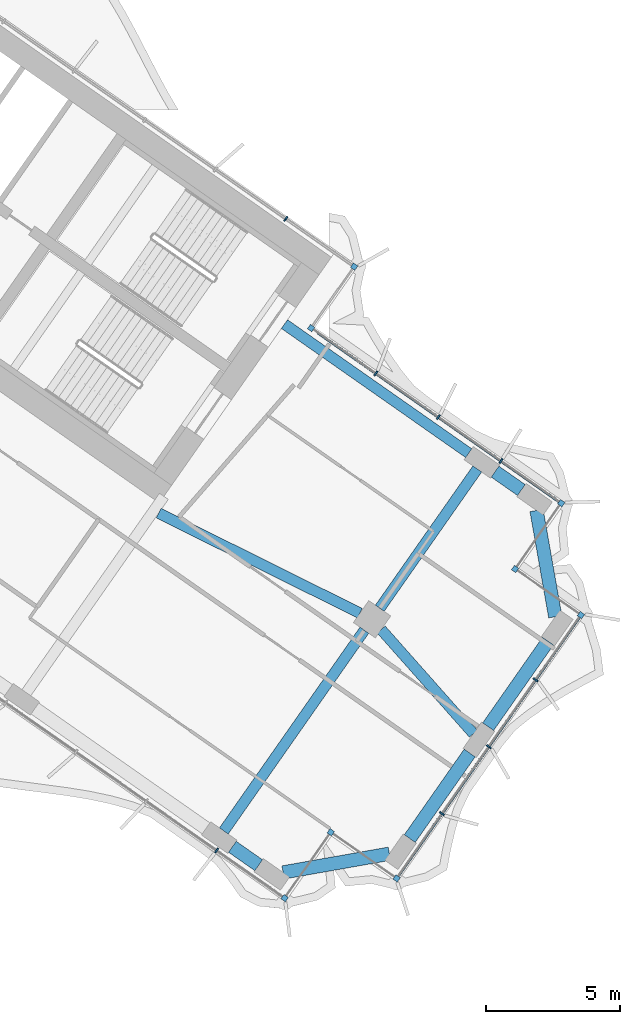
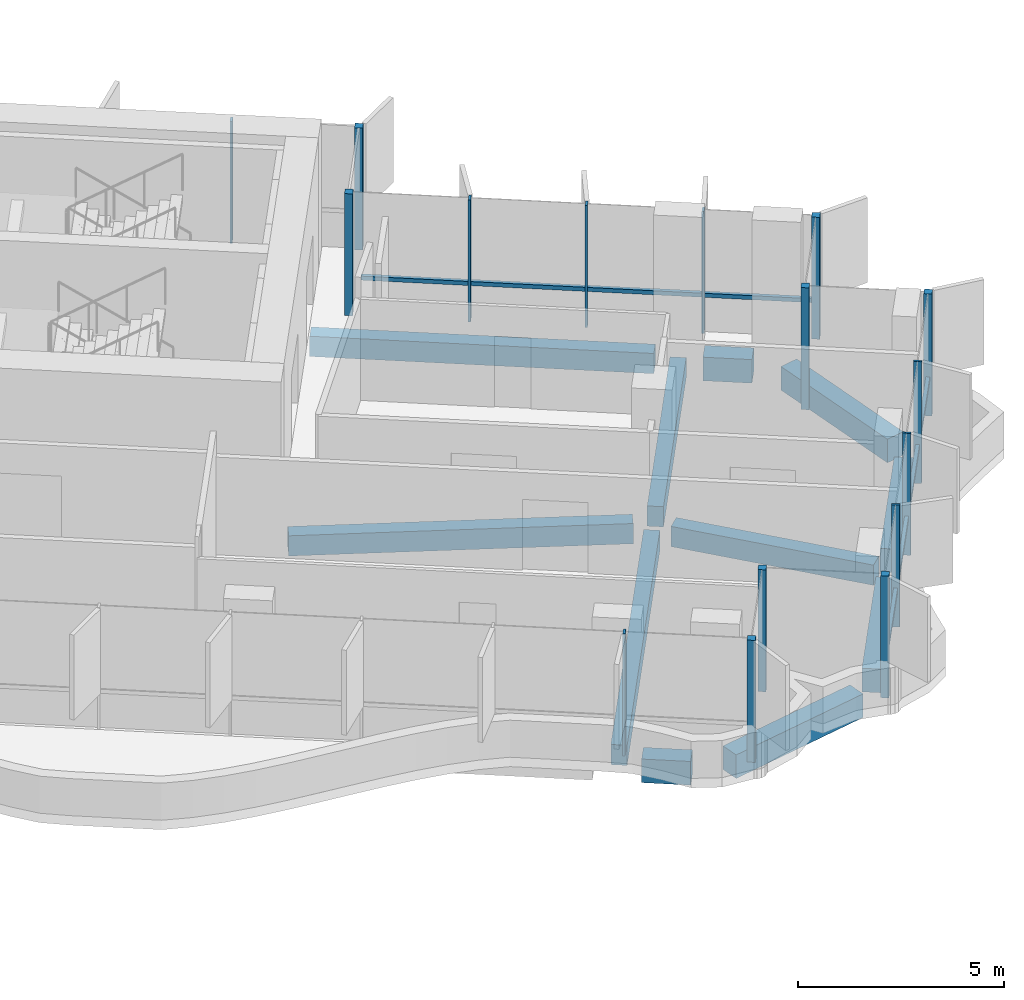
# One storey, part 9 of 21: 18 members, 11 beams, 2 elements without a shape of their own.
"""IFC4 building model written with IfcOpenShell, lengths in metres."""

from ifc_helpers import new_model, si_unit, direction, frame, origin, origin_2d, place, context, subcontext, project, spatial, rectangle, extrude, material, material_profile, profile_set, type_object, element, aggregate, save


model = new_model("IFC4")

# Units and contexts
model_context = context("Model", 3, precision=1e-05, world=origin(), true_north=direction((0.0, 1.0)))
body_context = subcontext(model_context, "Body", "Model", "MODEL_VIEW")
ifc_project = project(units=[si_unit("LENGTHUNIT", "METRE"), si_unit("AREAUNIT", "SQUARE_METRE"), si_unit("VOLUMEUNIT", "CUBIC_METRE"), si_unit("PLANEANGLEUNIT", "RADIAN"), si_unit("MASSUNIT", "GRAM", prefix="KILO")], contexts=[model_context])

# Site, building, storey
site_placement = place(None, origin())
site = spatial("IfcSite", under=ifc_project, at=site_placement, CompositionType="ELEMENT")
building_placement = place(site_placement, origin())
building = spatial("IfcBuilding", under=site, at=building_placement, Name="Tel Ilan Convention Tower", CompositionType="ELEMENT")
storey_placement = place(building_placement, frame((0.0, 0.0, 159.300048828125)))
storey = spatial("IfcBuildingStorey", under=building, at=storey_placement, Name="L36", CompositionType="ELEMENT", Elevation=159.300048828125)

# Beams
ifc_material_1 = material(Name="Concrete C40/50", Category="concrete")
ifc_material_profile_1 = material_profile(ifc_material_1, rectangle(XDim=0.39990234375, YDim=0.60009765625, at=origin_2d()), Name="RC 400x600")
ifc_profile_set_1 = profile_set([ifc_material_profile_1], Name="Concrete C40/50")
beam_type_1 = type_object("IfcBeamType", Name="Beam RC 400x600 Concrete C40/50", PredefinedType="BEAM", material=ifc_profile_set_1)
beam_1_placement = place(storey_placement, frame((33.09912109375, -14.44775390625, -0.580078125), z_axis=(-0.819147254605, 0.573583276668, 0.0), x_axis=(-0.573583276668, -0.819147254605, 0.0)))
element("IfcBeam", 1, at=beam_1_placement, inside=storey, type_object=beam_type_1, Name="L36 beam E-E-B4-core", PredefinedType="BEAM", context=body_context, shape_type="SweptSolid", body=[
    extrude(rectangle(XDim=0.39990234375, YDim=0.60009765625, at=origin_2d()), origin(), (0.0, 0.0, 1.0), 8.400146484375),
])
beam_2_placement = place(storey_placement, frame((21.52099609375, -16.686279296875, -0.580078125), z_axis=(0.895402365524, -0.445257907076, 0.0), x_axis=(0.445257907076, 0.895402365524, 0.0)))
element("IfcBeam", 2, at=beam_2_placement, inside=storey, type_object=beam_type_1, Name="L36 beam E-core-E-M4", PredefinedType="BEAM", context=body_context, shape_type="SweptSolid", body=[
    extrude(rectangle(XDim=0.39990234375, YDim=0.60009765625, at=origin_2d()), origin(), (0.0, 0.0, 1.0), 8.3935546875),
])
beam_3_placement = place(storey_placement, frame((29.830322265625, -21.03369140625, -0.580078125), z_axis=(0.663175252401, -0.748464150512, 0.0), x_axis=(0.748464150512, 0.663175252401, 0.0)))
element("IfcBeam", 3, at=beam_3_placement, inside=storey, type_object=beam_type_1, Name="L36 beam E-E-M4-end", PredefinedType="BEAM", context=body_context, shape_type="SweptSolid", body=[
    extrude(rectangle(XDim=0.39990234375, YDim=0.60009765625, at=origin_2d()), origin(), (0.0, 0.0, 1.0), 5.192626953125),
])
beam_4_placement = place(storey_placement, frame((29.20263671875, -21.058349609375, -0.580078125), z_axis=(-0.573557249804, -0.819165478519, 0.0), x_axis=(0.819165478519, -0.573557249804, 0.0)))
element("IfcBeam", 4, at=beam_4_placement, inside=storey, type_object=beam_type_1, Name="L36 beam E-E-M4-E-F4", PredefinedType="BEAM", context=body_context, shape_type="SweptSolid", body=[
    extrude(rectangle(XDim=0.39990234375, YDim=0.60009765625, at=origin_2d()), origin(), (0.0, 0.0, 1.0), 9.14990234375),
])
beam_5_placement = place(storey_placement, frame((29.7763671875, -20.2392578125, -0.580078125), z_axis=(0.573560394383, 0.819163276762, 0.0), x_axis=(-0.819163276762, 0.573560394383, 0.0)))
element("IfcBeam", 5, at=beam_5_placement, inside=storey, type_object=beam_type_1, Name="L36 beam E-E-M4-E-B4", PredefinedType="BEAM", context=body_context, shape_type="SweptSolid", body=[
    extrude(rectangle(XDim=0.39990234375, YDim=0.60009765625, at=origin_2d()), origin(), (0.0, 0.0, 1.0), 6.349853515625),
])
ifc_material_2 = material(Name="Concrete C40/50", Category="concrete")
ifc_material_profile_2 = material_profile(ifc_material_2, rectangle(XDim=0.5, YDim=0.699951171875, at=origin_2d()), Name="RC 500x700")
ifc_profile_set_2 = profile_set([ifc_material_profile_2], Name="Concrete C40/50")
beam_type_2 = type_object("IfcBeamType", Name="Beam RC 500x700 Concrete C40/50", PredefinedType="BEAM", material=ifc_profile_set_2)
beam_6_placement = place(storey_placement, frame((24.27392578125, -29.1435546875, -0.630126953125), z_axis=(0.819155442668, -0.573571582932, 0.0), x_axis=(0.573571582932, 0.819155442668, 0.0)))
element("IfcBeam", 6, at=beam_6_placement, inside=storey, type_object=beam_type_2, Name="L36 beam E-E-F4-E-FC", PredefinedType="BEAM", context=body_context, shape_type="SweptSolid", body=[
    extrude(rectangle(XDim=0.5, YDim=0.699951171875, at=origin_2d()), origin(), (0.0, 0.0, 1.0), 1.199951171875),
])
beam_7_placement = place(storey_placement, frame((26.166259765625, -30.102294921875, -0.630126953125), z_axis=(0.984804894423, 0.173664388751, 0.0), x_axis=(-0.173664388751, 0.984804894423, 0.0)))
element("IfcBeam", 7, at=beam_7_placement, inside=storey, type_object=beam_type_2, Name="L36 beam E-E-FC-E-E1", PredefinedType="BEAM", context=body_context, shape_type="SweptSolid", body=[
    extrude(rectangle(XDim=0.5, YDim=0.699951171875, at=origin_2d()), origin(), (0.0, 0.0, 1.0), 4.030517578125),
])
for number, where, z_axis, x_axis, name in (
    (8, (30.8974609375, -28.837158203125, -0.630126953125), (0.573609383536, 0.819128973434, 0.0), (-0.819128973434, 0.573609383536, 0.0), "L36 beam E-E-E1-E-E2"),
    (9, (33.82275390625, -24.659423828125, -0.630126953125), (0.573567378001, 0.81915838694, 0.0), (-0.81915838694, 0.573567378001, 0.0), "L36 beam E-E-E2-E-E3"),
):
    element("IfcBeam", number, at=place(storey_placement, frame(where, z_axis=z_axis, x_axis=x_axis)), inside=storey, type_object=beam_type_2, Name=name, PredefinedType="BEAM", context=body_context, shape_type="SweptSolid", body=[
        extrude(rectangle(XDim=0.5, YDim=0.699951171875, at=origin_2d()), origin(), (0.0, 0.0, 1.0), 3.89990234375),
    ])
beam_8_placement = place(storey_placement, frame((36.330078125, -20.555419921875, -0.630126953125), z_axis=(-0.173664388751, 0.984804894423, 0.0), x_axis=(-0.984804894423, -0.173664388751, 0.0)))
element("IfcBeam", 10, at=beam_8_placement, inside=storey, type_object=beam_type_2, Name="L36 beam E-E-E3-E-BC", PredefinedType="BEAM", context=body_context, shape_type="SweptSolid", body=[
    extrude(rectangle(XDim=0.5, YDim=0.699951171875, at=origin_2d()), origin(), (0.0, 0.0, 1.0), 4.030517578125),
])
beam_9_placement = place(storey_placement, frame((35.06494140625, -15.82421875, -0.630126953125), z_axis=(-0.819155442668, 0.573571582932, 0.0), x_axis=(-0.573571582932, -0.819155442668, 0.0)))
element("IfcBeam", 11, at=beam_9_placement, inside=storey, type_object=beam_type_2, Name="L36 beam E-E-BC-E-B4", PredefinedType="BEAM", context=body_context, shape_type="SweptSolid", body=[
    extrude(rectangle(XDim=0.5, YDim=0.699951171875, at=origin_2d()), origin(), (0.0, 0.0, 1.0), 1.199951171875),
])

# Curtain wall, members
ifc_material_3 = material(Name="Aluminium, bronze anodised", Category="aluminium")
curtain_wall_type_1 = type_object("IfcCurtainWallType", Name="CW2 STICK CURTAIN WALL, SPANDREL PANELS", PredefinedType="NOTDEFINED", material=ifc_material_3)
curtain_wall_1_placement = place(storey_placement, origin())
curtain_wall_1 = element("IfcCurtainWall", 12, at=curtain_wall_1_placement, inside=storey, type_object=curtain_wall_type_1, Name="Curtain wall CW2-28.01", PredefinedType="NOTDEFINED")
ifc_material_4 = material(Name="Aluminium, bronze anodised", Category="aluminium")
ifc_material_profile_3 = material_profile(ifc_material_4, rectangle(XDim=0.199951171875, YDim=0.199951171875, at=origin_2d()), Name="CW CORNER MULLION 200x200")
ifc_profile_set_3 = profile_set([ifc_material_profile_3], Name="Aluminium, bronze anodised")
member_type_1 = type_object("IfcMemberType", Name="CW CORNER MULLION 200x200", PredefinedType="MULLION", material=ifc_profile_set_3)
member_1_placement = place(storey_placement, frame((27.213623046875, -9.77734375, 0.0), z_axis=(0.0, 0.0, 1.0), x_axis=(-0.819152044289, 0.573576436351, 0.0)))
member_1 = element("IfcMember", 13, at=member_1_placement, type_object=member_type_1, Name="Corner mullion", PredefinedType="MULLION", context=body_context, shape_type="SweptSolid", body=[
    extrude(rectangle(XDim=0.199951171875, YDim=0.199951171875, at=origin_2d()), origin(), (0.0, 0.0, 1.0), 3.619873046875),
])
member_2_placement = place(storey_placement, frame((28.819580078125, -7.483642578125, 0.0), z_axis=(0.0, 0.0, 1.0), x_axis=(0.573576436351, 0.819152044289, 0.0)))
member_2 = element("IfcMember", 14, at=member_2_placement, type_object=member_type_1, Name="Corner mullion", PredefinedType="MULLION", context=body_context, shape_type="SweptSolid", body=[
    extrude(rectangle(XDim=0.199951171875, YDim=0.199951171875, at=origin_2d()), origin(), (0.0, 0.0, 1.0), 3.619873046875),
])

ifc_material_5 = material(Name="Aluminium, bronze anodised", Category="aluminium")
curtain_wall_type_2 = type_object("IfcCurtainWallType", Name="CW4 STICK CURTAIN WALL, OFFICE TINTED GLASS", PredefinedType="NOTDEFINED", material=ifc_material_5)
curtain_wall_2_placement = place(storey_placement, origin())
curtain_wall_2 = element("IfcCurtainWall", 15, at=curtain_wall_2_placement, inside=storey, type_object=curtain_wall_type_2, Name="Curtain wall CW4-28.02", PredefinedType="NOTDEFINED")
member_3_placement = place(storey_placement, frame((26.2275390625, -31.060791015625, 0.0), z_axis=(0.0, 0.0, 1.0), x_axis=(0.819152044289, -0.573576436351, 0.0)))
member_3 = element("IfcMember", 16, at=member_3_placement, type_object=member_type_1, Name="Corner mullion", PredefinedType="MULLION", context=body_context, shape_type="SweptSolid", body=[
    extrude(rectangle(XDim=0.199951171875, YDim=0.199951171875, at=origin_2d()), origin(), (0.0, 0.0, 1.0), 3.619873046875),
])
member_4_placement = place(storey_placement, frame((27.9482421875, -28.603271484375, 0.0), z_axis=(0.0, 0.0, 1.0), x_axis=(0.573576436351, 0.819152044289, 0.0)))
member_4 = element("IfcMember", 17, at=member_4_placement, type_object=member_type_1, Name="Corner mullion", PredefinedType="MULLION", context=body_context, shape_type="SweptSolid", body=[
    extrude(rectangle(XDim=0.199951171875, YDim=0.199951171875, at=origin_2d()), origin(), (0.0, 0.0, 1.0), 3.619873046875),
])
member_5_placement = place(storey_placement, frame((30.40576171875, -30.323974609375, 0.0), z_axis=(0.0, 0.0, 1.0), x_axis=(0.819152044289, -0.573576436351, 0.0)))
member_5 = element("IfcMember", 18, at=member_5_placement, type_object=member_type_1, Name="Corner mullion", PredefinedType="MULLION", context=body_context, shape_type="SweptSolid", body=[
    extrude(rectangle(XDim=0.199951171875, YDim=0.199951171875, at=origin_2d()), origin(), (0.0, 0.0, 1.0), 3.619873046875),
])
member_6_placement = place(storey_placement, frame((37.28857421875, -20.494140625, 0.0), z_axis=(0.0, 0.0, 1.0), x_axis=(0.573576436351, 0.819152044289, 0.0)))
member_6 = element("IfcMember", 19, at=member_6_placement, type_object=member_type_1, Name="Corner mullion", PredefinedType="MULLION", context=body_context, shape_type="SweptSolid", body=[
    extrude(rectangle(XDim=0.199951171875, YDim=0.199951171875, at=origin_2d()), origin(), (0.0, 0.0, 1.0), 3.619873046875),
])
member_7_placement = place(storey_placement, frame((34.8310546875, -18.7734375, 0.0), z_axis=(0.0, 0.0, 1.0), x_axis=(-0.819152044289, 0.573576436351, 0.0)))
member_7 = element("IfcMember", 20, at=member_7_placement, type_object=member_type_1, Name="Corner mullion", PredefinedType="MULLION", context=body_context, shape_type="SweptSolid", body=[
    extrude(rectangle(XDim=0.199951171875, YDim=0.199951171875, at=origin_2d()), origin(), (0.0, 0.0, 1.0), 3.619873046875),
])
member_8_placement = place(storey_placement, frame((36.5517578125, -16.31591796875, 0.0), z_axis=(0.0, 0.0, 1.0), x_axis=(0.573576436351, 0.819152044289, 0.0)))
member_8 = element("IfcMember", 21, at=member_8_placement, type_object=member_type_1, Name="Corner mullion", PredefinedType="MULLION", context=body_context, shape_type="SweptSolid", body=[
    extrude(rectangle(XDim=0.199951171875, YDim=0.199951171875, at=origin_2d()), origin(), (0.0, 0.0, 1.0), 3.619873046875),
])

# Member
ifc_material_6 = material(Name="Aluminium, bronze anodised", Category="aluminium")
ifc_material_profile_4 = material_profile(ifc_material_6, rectangle(XDim=0.06005859375, YDim=0.199951171875, at=origin_2d()), Name="CW MULLION 60x200")
ifc_profile_set_4 = profile_set([ifc_material_profile_4], Name="Aluminium, bronze anodised")
member_type_2 = type_object("IfcMemberType", Name="CW MULLION 60x200", PredefinedType="MULLION", material=ifc_profile_set_4)
member_9_placement = place(storey_placement, frame((26.268798828125, -5.697509765625, 0.0), z_axis=(0.0, 0.0, 1.0), x_axis=(-0.819152044289, 0.573576436351, 0.0)))
member_9 = element("IfcMember", 22, at=member_9_placement, type_object=member_type_2, Name="Mullion", PredefinedType="MULLION", context=body_context, shape_type="SweptSolid", body=[
    extrude(rectangle(XDim=0.06005859375, YDim=0.199951171875, at=origin_2d()), origin(), (0.0, 0.0, 1.0), 3.619873046875),
])

aggregate(curtain_wall_1, [member_1, member_2, member_9])

member_10_placement = place(storey_placement, frame((23.68408203125, -29.27978515625, 0.0), z_axis=(0.0, 0.0, 1.0), x_axis=(0.819152044289, -0.573576436351, 0.0)))
member_10 = element("IfcMember", 23, at=member_10_placement, type_object=member_type_2, Name="Mullion", PredefinedType="MULLION", context=body_context, shape_type="SweptSolid", body=[
    extrude(rectangle(XDim=0.06005859375, YDim=0.199951171875, at=origin_2d()), origin(), (0.0, 0.0, 1.0), 3.619873046875),
])

member_11_placement = place(storey_placement, frame((32.09765625, -27.907470703125, 0.0), z_axis=(0.0, 0.0, 1.0), x_axis=(0.573576436351, 0.819152044289, 0.0)))
member_11 = element("IfcMember", 24, at=member_11_placement, type_object=member_type_2, Name="Mullion", PredefinedType="MULLION", context=body_context, shape_type="SweptSolid", body=[
    extrude(rectangle(XDim=0.06005859375, YDim=0.199951171875, at=origin_2d()), origin(), (0.0, 0.0, 1.0), 3.619873046875),
])

member_12_placement = place(storey_placement, frame((33.84716796875, -25.4091796875, 0.0), z_axis=(0.0, 0.0, 1.0), x_axis=(0.573576436351, 0.819152044289, 0.0)))
member_12 = element("IfcMember", 25, at=member_12_placement, type_object=member_type_2, Name="Mullion", PredefinedType="MULLION", context=body_context, shape_type="SweptSolid", body=[
    extrude(rectangle(XDim=0.06005859375, YDim=0.199951171875, at=origin_2d()), origin(), (0.0, 0.0, 1.0), 3.619873046875),
])

member_13_placement = place(storey_placement, frame((35.596435546875, -22.91064453125, 0.0), z_axis=(0.0, 0.0, 1.0), x_axis=(0.573576436351, 0.819152044289, 0.0)))
member_13 = element("IfcMember", 26, at=member_13_placement, type_object=member_type_2, Name="Mullion", PredefinedType="MULLION", context=body_context, shape_type="SweptSolid", body=[
    extrude(rectangle(XDim=0.06005859375, YDim=0.199951171875, at=origin_2d()), origin(), (0.0, 0.0, 1.0), 3.619873046875),
])

member_14_placement = place(storey_placement, frame((34.299072265625, -14.73876953125, 0.0), z_axis=(0.0, 0.0, 1.0), x_axis=(-0.819152044289, 0.573576436351, 0.0)))
member_14 = element("IfcMember", 27, at=member_14_placement, type_object=member_type_2, Name="Mullion", PredefinedType="MULLION", context=body_context, shape_type="SweptSolid", body=[
    extrude(rectangle(XDim=0.06005859375, YDim=0.199951171875, at=origin_2d()), origin(), (0.0, 0.0, 1.0), 3.619873046875),
])

member_15_placement = place(storey_placement, frame((31.964599609375, -13.10400390625, 0.0), z_axis=(0.0, 0.0, 1.0), x_axis=(-0.819152044289, 0.573576436351, 0.0)))
member_15 = element("IfcMember", 28, at=member_15_placement, type_object=member_type_2, Name="Mullion", PredefinedType="MULLION", context=body_context, shape_type="SweptSolid", body=[
    extrude(rectangle(XDim=0.06005859375, YDim=0.199951171875, at=origin_2d()), origin(), (0.0, 0.0, 1.0), 3.619873046875),
])

member_16_placement = place(storey_placement, frame((29.630126953125, -11.46923828125, 0.0), z_axis=(0.0, 0.0, 1.0), x_axis=(-0.819152044289, 0.573576436351, 0.0)))
member_16 = element("IfcMember", 29, at=member_16_placement, type_object=member_type_2, Name="Mullion", PredefinedType="MULLION", context=body_context, shape_type="SweptSolid", body=[
    extrude(rectangle(XDim=0.06005859375, YDim=0.199951171875, at=origin_2d()), origin(), (0.0, 0.0, 1.0), 3.619873046875),
])

ifc_material_7 = material(Name="Aluminium, bronze anodised", Category="aluminium")
ifc_material_profile_5 = material_profile(ifc_material_7, rectangle(XDim=0.10009765625, YDim=0.1201171875, at=origin_2d()), Name="CW TRANSOM 100x120")
ifc_profile_set_5 = profile_set([ifc_material_profile_5], Name="Aluminium, bronze anodised")
member_type_3 = type_object("IfcMemberType", Name="CW TRANSOM 100x120", PredefinedType="USERDEFINED", material=ifc_profile_set_5)
member_17_placement = place(storey_placement, frame((30.463134765625, -30.2421875, 1.099853515625), z_axis=(0.573567872435, 0.819158040741, 0.0), x_axis=(-0.819158040741, 0.573567872435, 0.0)))
member_17 = element("IfcMember", 30, at=member_17_placement, type_object=member_type_3, Name="Transom", ObjectType="TRANSOM", PredefinedType="USERDEFINED", context=body_context, shape_type="SweptSolid", body=[
    extrude(rectangle(XDim=0.10009765625, YDim=0.1201171875, at=origin_2d()), origin(), (0.0, 0.0, 1.0), 11.800048828125),
])

member_18_placement = place(storey_placement, frame((36.469970703125, -16.258544921875, 1.099853515625), z_axis=(-0.819154753687, 0.57357256691, 0.0), x_axis=(-0.57357256691, -0.819154753687, 0.0)))
member_18 = element("IfcMember", 31, at=member_18_placement, type_object=member_type_3, Name="Transom", ObjectType="TRANSOM", PredefinedType="USERDEFINED", context=body_context, shape_type="SweptSolid", body=[
    extrude(rectangle(XDim=0.10009765625, YDim=0.1201171875, at=origin_2d()), origin(), (0.0, 0.0, 1.0), 11.0),
])

aggregate(curtain_wall_2, [member_10, member_3, member_4, member_5, member_11, member_12, member_13, member_6, member_17, member_7, member_8, member_14, member_15, member_16, member_18])

save(model, "model.ifc")
